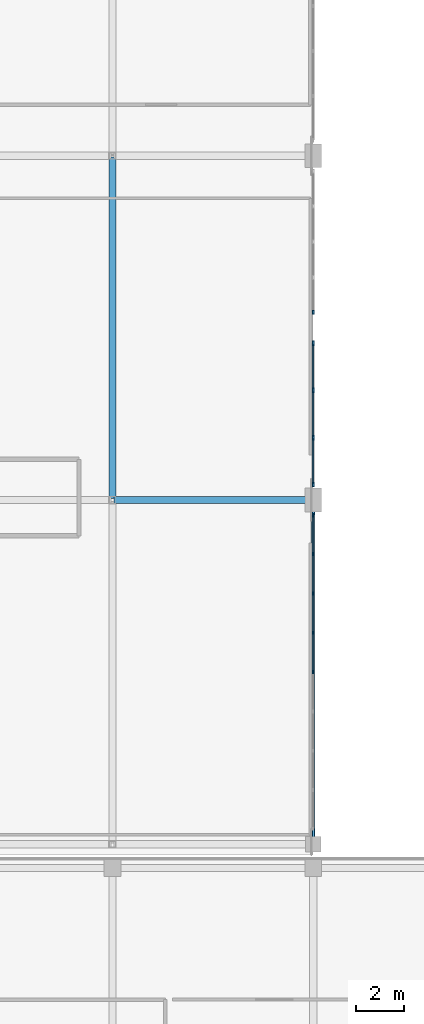
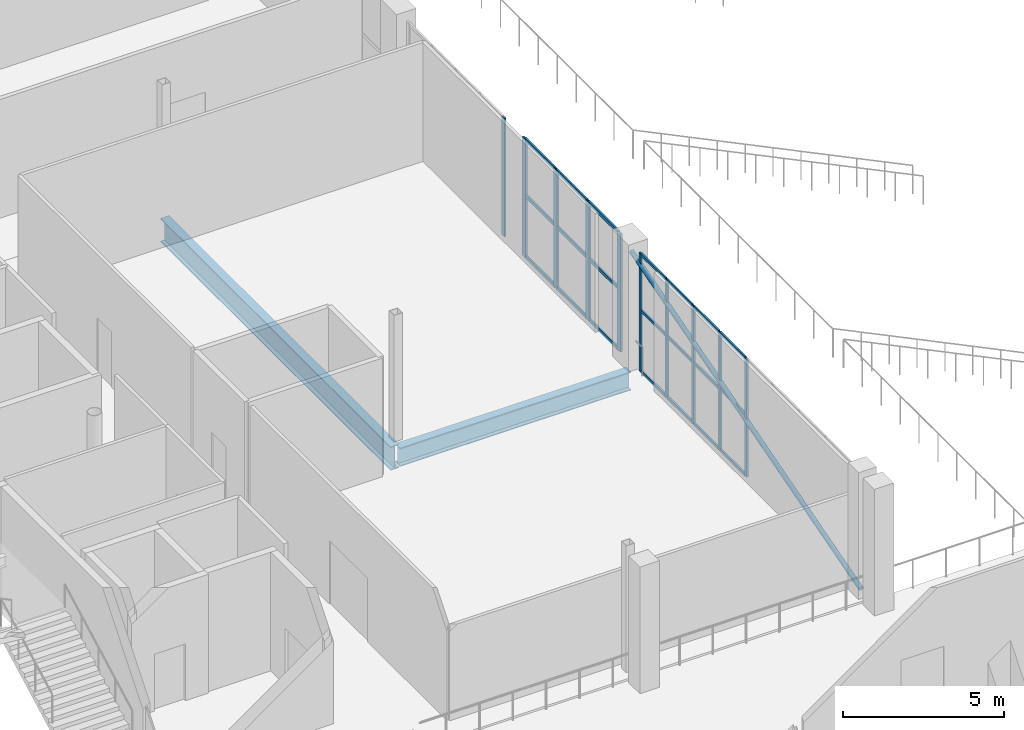
# One storey, part 18 of 104: 32 members, 2 beams, 3 elements without a shape of their own.
"""IFC4 building model written with IfcOpenShell, lengths in metres."""

from ifc_helpers import new_model, si_unit, direction, frame, origin, origin_2d, place, context, subcontext, project, spatial, rectangle, hollow_circle, i_section, extrude, material, material_profile, profile_set, type_object, element, aggregate, save


model = new_model("IFC4")

# Units and contexts
model_context = context("Model", 3, precision=1e-05, world=origin(), true_north=direction((0.0, 1.0)))
body_context = subcontext(model_context, "Body", "Model", "MODEL_VIEW")
ifc_project = project(units=[si_unit("LENGTHUNIT", "METRE"), si_unit("AREAUNIT", "SQUARE_METRE"), si_unit("VOLUMEUNIT", "CUBIC_METRE"), si_unit("PLANEANGLEUNIT", "RADIAN"), si_unit("MASSUNIT", "GRAM", prefix="KILO")], contexts=[model_context])

# Site, building, storey
site_placement = place(None, origin())
site = spatial("IfcSite", under=ifc_project, at=site_placement, CompositionType="ELEMENT")
building_placement = place(site_placement, origin())
building = spatial("IfcBuilding", under=site, at=building_placement, Name="Koshinbarg Plaza Stadium", CompositionType="ELEMENT")
storey_placement = place(building_placement, frame((0.0, 0.0, 19.800048828125)))
storey = spatial("IfcBuildingStorey", under=building, at=storey_placement, Name="L04", CompositionType="ELEMENT", Elevation=19.800048828125)

# Beams
ifc_material_1 = material(Name="Steel S355", Category="steel")
ifc_material_profile_1 = material_profile(ifc_material_1, i_section(OverallWidth=0.300048828125, OverallDepth=0.699951171875, WebThickness=0.01708984375, FlangeThickness=0.031982421875, at=origin_2d()), Name="HEB 700")
ifc_profile_set_1 = profile_set([ifc_material_profile_1], Name="Steel S355")
beam_type_1 = type_object("IfcBeamType", Name="BM-SGIR-03", PredefinedType="USERDEFINED", material=ifc_profile_set_1)
beam_1_placement = place(storey_placement, frame((46.260009765625, 39.89990234375, -0.650146484375), z_axis=(1.0, 0.0, 0.0), x_axis=(0.0, 1.0, 0.0)))
element("IfcBeam", 1, at=beam_1_placement, inside=storey, type_object=beam_type_1, Name="L04 X girder F/7-8", ObjectType="GIRDER", PredefinedType="USERDEFINED", context=body_context, shape_type="SweptSolid", body=[
    extrude(i_section(OverallWidth=0.300048828125, OverallDepth=0.699951171875, WebThickness=0.01708984375, FlangeThickness=0.031982421875, at=origin_2d()), origin(), (0.0, 0.0, 1.0), 8.280029296875),
])
ifc_material_profile_2 = material_profile(ifc_material_1, i_section(OverallWidth=0.300048828125, OverallDepth=0.89990234375, WebThickness=0.0185546875, FlangeThickness=0.034912109375, at=origin_2d()), Name="HEB 900")
ifc_profile_set_2 = profile_set([ifc_material_profile_2], Name="Steel S355")
beam_type_2 = type_object("IfcBeamType", Name="BM-SGIR-05", PredefinedType="USERDEFINED", material=ifc_profile_set_2)
beam_2_placement = place(storey_placement, frame((46.199951171875, 39.9599609375, -0.75), z_axis=(0.0, 1.0, 0.0), x_axis=(-1.0, 0.0, 0.0)))
element("IfcBeam", 2, at=beam_2_placement, inside=storey, type_object=beam_type_2, Name="L04 Y girder 7/F-H", ObjectType="GIRDER", PredefinedType="USERDEFINED", context=body_context, shape_type="SweptSolid", body=[
    extrude(i_section(OverallWidth=0.300048828125, OverallDepth=0.89990234375, WebThickness=0.0185546875, FlangeThickness=0.034912109375, at=origin_2d()), origin(), (0.0, 0.0, 1.0), 14.280029296875),
])

# Curtain wall, members
ifc_material_2 = material(Name="Thermally broken anodised aluminium and low-E double glazing", Category="aluminium")
curtain_wall_type_1 = type_object("IfcCurtainWallType", Name="CW-SYS-09", PredefinedType="NOTDEFINED", material=ifc_material_2)
curtain_wall_1_placement = place(storey_placement, origin())
curtain_wall_1 = element("IfcCurtainWall", 3, at=curtain_wall_1_placement, inside=storey, type_object=curtain_wall_type_1, Name="L04 unitised curtain wall CW-L04-120", PredefinedType="NOTDEFINED")
ifc_material_3 = material(Name="Anodised aluminium mullion", Category="aluminium")
ifc_material_profile_3 = material_profile(ifc_material_3, rectangle(XDim=0.06005859375, YDim=0.139892578125, at=origin_2d()), Name="ALU 60x140")
ifc_profile_set_3 = profile_set([ifc_material_profile_3], Name="Anodised aluminium mullion")
member_type_1 = type_object("IfcMemberType", Name="CW-MUL-01", PredefinedType="MULLION", material=ifc_profile_set_3)
member_1_placement = place(storey_placement, frame((54.60009765625, 39.25, 0.0), z_axis=(0.0, 0.0, 1.0), x_axis=(1.0, 0.0, 0.0)))
member_1 = element("IfcMember", 4, at=member_1_placement, type_object=member_type_1, Name="CW09 mullion 1", PredefinedType="MULLION", context=body_context, shape_type="SweptSolid", body=[
    extrude(rectangle(XDim=0.06005859375, YDim=0.139892578125, at=origin_2d()), origin(), (0.0, 0.0, 1.0), 4.47998046875),
])
member_2_placement = place(storey_placement, frame((54.60009765625, 37.635009765625, 0.0), z_axis=(0.0, 0.0, 1.0), x_axis=(1.0, 0.0, 0.0)))
member_2 = element("IfcMember", 5, at=member_2_placement, type_object=member_type_1, Name="CW09 mullion 2", PredefinedType="MULLION", context=body_context, shape_type="SweptSolid", body=[
    extrude(rectangle(XDim=0.06005859375, YDim=0.139892578125, at=origin_2d()), origin(), (0.0, 0.0, 1.0), 4.47998046875),
])
member_3_placement = place(storey_placement, frame((54.60009765625, 35.989990234375, 0.0), z_axis=(0.0, 0.0, 1.0), x_axis=(1.0, 0.0, 0.0)))
member_3 = element("IfcMember", 6, at=member_3_placement, type_object=member_type_1, Name="CW09 mullion 3", PredefinedType="MULLION", context=body_context, shape_type="SweptSolid", body=[
    extrude(rectangle(XDim=0.06005859375, YDim=0.139892578125, at=origin_2d()), origin(), (0.0, 0.0, 1.0), 4.47998046875),
])
member_4_placement = place(storey_placement, frame((54.60009765625, 34.344970703125, 0.0), z_axis=(0.0, 0.0, 1.0), x_axis=(1.0, 0.0, 0.0)))
member_4 = element("IfcMember", 7, at=member_4_placement, type_object=member_type_1, Name="CW09 mullion 4", PredefinedType="MULLION", context=body_context, shape_type="SweptSolid", body=[
    extrude(rectangle(XDim=0.06005859375, YDim=0.139892578125, at=origin_2d()), origin(), (0.0, 0.0, 1.0), 4.47998046875),
])
member_5_placement = place(storey_placement, frame((54.60009765625, 32.699951171875, 0.0), z_axis=(0.0, 0.0, 1.0), x_axis=(1.0, 0.0, 0.0)))
member_5 = element("IfcMember", 8, at=member_5_placement, type_object=member_type_1, Name="CW09 mullion 5", PredefinedType="MULLION", context=body_context, shape_type="SweptSolid", body=[
    extrude(rectangle(XDim=0.06005859375, YDim=0.139892578125, at=origin_2d()), origin(), (0.0, 0.0, 1.0), 4.47998046875),
])

# Curtain wall, member
curtain_wall_type_2 = type_object("IfcCurtainWallType", Name="CW-SYS-07", PredefinedType="NOTDEFINED", material=ifc_material_2)
curtain_wall_2_placement = place(storey_placement, origin())
curtain_wall_2 = element("IfcCurtainWall", 9, at=curtain_wall_2_placement, inside=storey, type_object=curtain_wall_type_2, Name="L04 unitised curtain wall CW-L04-118", PredefinedType="NOTDEFINED")
ifc_material_profile_4 = material_profile(ifc_material_3, rectangle(XDim=0.070068359375, YDim=0.179931640625, at=origin_2d()), Name="ALU 70x180")
ifc_profile_set_4 = profile_set([ifc_material_profile_4], Name="Anodised aluminium mullion")
member_type_2 = type_object("IfcMemberType", Name="CW-MUL-03", PredefinedType="MULLION", material=ifc_profile_set_4)
member_6_placement = place(storey_placement, frame((54.60009765625, 47.75, 0.0), z_axis=(0.0, 0.0, 1.0), x_axis=(1.0, 0.0, 0.0)))
member_6 = element("IfcMember", 10, at=member_6_placement, type_object=member_type_2, Name="CW07 mullion 5", PredefinedType="MULLION", context=body_context, shape_type="SweptSolid", body=[
    extrude(rectangle(XDim=0.070068359375, YDim=0.179931640625, at=origin_2d()), origin(), (0.0, 0.0, 1.0), 4.47998046875),
])
aggregate(curtain_wall_2, [member_6])

# Curtain wall, members
curtain_wall_type_3 = type_object("IfcCurtainWallType", Name="CW-SYS-08", PredefinedType="NOTDEFINED", material=ifc_material_2)
curtain_wall_3_placement = place(storey_placement, origin())
curtain_wall_3 = element("IfcCurtainWall", 11, at=curtain_wall_3_placement, inside=storey, type_object=curtain_wall_type_3, Name="L04 unitised curtain wall CW-L04-119", PredefinedType="NOTDEFINED")
ifc_material_profile_5 = material_profile(ifc_material_3, rectangle(XDim=0.070068359375, YDim=0.199951171875, at=origin_2d()), Name="ALU 70x200")
ifc_profile_set_5 = profile_set([ifc_material_profile_5], Name="Anodised aluminium mullion")
member_type_3 = type_object("IfcMemberType", Name="CW-MUL-04", PredefinedType="MULLION", material=ifc_profile_set_5)
member_7_placement = place(storey_placement, frame((54.60009765625, 46.449951171875, 0.0), z_axis=(0.0, 0.0, 1.0), x_axis=(1.0, 0.0, 0.0)))
member_7 = element("IfcMember", 12, at=member_7_placement, type_object=member_type_3, Name="CW08 mullion 1", PredefinedType="MULLION", context=body_context, shape_type="SweptSolid", body=[
    extrude(rectangle(XDim=0.070068359375, YDim=0.199951171875, at=origin_2d()), origin(), (0.0, 0.0, 1.0), 4.47998046875),
])
member_8_placement = place(storey_placement, frame((54.60009765625, 44.493408203125, 0.0), z_axis=(0.0, 0.0, 1.0), x_axis=(1.0, 0.0, 0.0)))
member_8 = element("IfcMember", 13, at=member_8_placement, type_object=member_type_3, Name="CW08 mullion 2", PredefinedType="MULLION", context=body_context, shape_type="SweptSolid", body=[
    extrude(rectangle(XDim=0.070068359375, YDim=0.199951171875, at=origin_2d()), origin(), (0.0, 0.0, 1.0), 4.47998046875),
])
member_9_placement = place(storey_placement, frame((54.60009765625, 42.506591796875, 0.0), z_axis=(0.0, 0.0, 1.0), x_axis=(1.0, 0.0, 0.0)))
member_9 = element("IfcMember", 14, at=member_9_placement, type_object=member_type_3, Name="CW08 mullion 3", PredefinedType="MULLION", context=body_context, shape_type="SweptSolid", body=[
    extrude(rectangle(XDim=0.070068359375, YDim=0.199951171875, at=origin_2d()), origin(), (0.0, 0.0, 1.0), 4.47998046875),
])
member_10_placement = place(storey_placement, frame((54.60009765625, 40.550048828125, 0.0), z_axis=(0.0, 0.0, 1.0), x_axis=(1.0, 0.0, 0.0)))
member_10 = element("IfcMember", 15, at=member_10_placement, type_object=member_type_3, Name="CW08 mullion 4", PredefinedType="MULLION", context=body_context, shape_type="SweptSolid", body=[
    extrude(rectangle(XDim=0.070068359375, YDim=0.199951171875, at=origin_2d()), origin(), (0.0, 0.0, 1.0), 4.47998046875),
])

# Member
ifc_material_4 = material(Name="Anodised aluminium transom", Category="aluminium")
ifc_material_profile_6 = material_profile(ifc_material_4, rectangle(XDim=0.06005859375, YDim=0.110107421875, at=origin_2d()), Name="ALU 60x110")
ifc_profile_set_6 = profile_set([ifc_material_profile_6], Name="Anodised aluminium transom")
member_type_4 = type_object("IfcMemberType", Name="CW-TRN-01", PredefinedType="USERDEFINED", material=ifc_profile_set_6)
member_11_placement = place(storey_placement, frame((54.60009765625, 39.219970703125, 0.030029296875), z_axis=(0.0, -1.0, 0.0), x_axis=(1.0, 0.0, 0.0)))
member_11 = element("IfcMember", 16, at=member_11_placement, type_object=member_type_4, Name="CW09 transom 1.1", ObjectType="TRANSOM", PredefinedType="USERDEFINED", context=body_context, shape_type="SweptSolid", body=[
    extrude(rectangle(XDim=0.06005859375, YDim=0.110107421875, at=origin_2d()), origin(), (0.0, 0.0, 1.0), 1.554931640625),
])

member_12_placement = place(storey_placement, frame((54.60009765625, 39.219970703125, 2.32958984375), z_axis=(0.0, -1.0, 0.0), x_axis=(1.0, 0.0, 0.0)))
member_12 = element("IfcMember", 17, at=member_12_placement, type_object=member_type_4, Name="CW09 transom 1.2", ObjectType="TRANSOM", PredefinedType="USERDEFINED", context=body_context, shape_type="SweptSolid", body=[
    extrude(rectangle(XDim=0.06005859375, YDim=0.110107421875, at=origin_2d()), origin(), (0.0, 0.0, 1.0), 1.554931640625),
])

member_13_placement = place(storey_placement, frame((54.60009765625, 39.219970703125, 4.449951171875), z_axis=(0.0, -1.0, 0.0), x_axis=(1.0, 0.0, 0.0)))
member_13 = element("IfcMember", 18, at=member_13_placement, type_object=member_type_4, Name="CW09 transom 1.3", ObjectType="TRANSOM", PredefinedType="USERDEFINED", context=body_context, shape_type="SweptSolid", body=[
    extrude(rectangle(XDim=0.06005859375, YDim=0.110107421875, at=origin_2d()), origin(), (0.0, 0.0, 1.0), 1.554931640625),
])

member_14_placement = place(storey_placement, frame((54.60009765625, 37.60498046875, 0.030029296875), z_axis=(0.0, -1.0, 0.0), x_axis=(1.0, 0.0, 0.0)))
member_14 = element("IfcMember", 19, at=member_14_placement, type_object=member_type_4, Name="CW09 transom 2.1", ObjectType="TRANSOM", PredefinedType="USERDEFINED", context=body_context, shape_type="SweptSolid", body=[
    extrude(rectangle(XDim=0.06005859375, YDim=0.110107421875, at=origin_2d()), origin(), (0.0, 0.0, 1.0), 1.5849609375),
])

member_15_placement = place(storey_placement, frame((54.60009765625, 37.60498046875, 2.32958984375), z_axis=(0.0, -1.0, 0.0), x_axis=(1.0, 0.0, 0.0)))
member_15 = element("IfcMember", 20, at=member_15_placement, type_object=member_type_4, Name="CW09 transom 2.2", ObjectType="TRANSOM", PredefinedType="USERDEFINED", context=body_context, shape_type="SweptSolid", body=[
    extrude(rectangle(XDim=0.06005859375, YDim=0.110107421875, at=origin_2d()), origin(), (0.0, 0.0, 1.0), 1.5849609375),
])

member_16_placement = place(storey_placement, frame((54.60009765625, 37.60498046875, 4.449951171875), z_axis=(0.0, -1.0, 0.0), x_axis=(1.0, 0.0, 0.0)))
member_16 = element("IfcMember", 21, at=member_16_placement, type_object=member_type_4, Name="CW09 transom 2.3", ObjectType="TRANSOM", PredefinedType="USERDEFINED", context=body_context, shape_type="SweptSolid", body=[
    extrude(rectangle(XDim=0.06005859375, YDim=0.110107421875, at=origin_2d()), origin(), (0.0, 0.0, 1.0), 1.5849609375),
])

member_17_placement = place(storey_placement, frame((54.60009765625, 35.9599609375, 0.030029296875), z_axis=(0.0, -1.0, 0.0), x_axis=(1.0, 0.0, 0.0)))
member_17 = element("IfcMember", 22, at=member_17_placement, type_object=member_type_4, Name="CW09 transom 3.1", ObjectType="TRANSOM", PredefinedType="USERDEFINED", context=body_context, shape_type="SweptSolid", body=[
    extrude(rectangle(XDim=0.06005859375, YDim=0.110107421875, at=origin_2d()), origin(), (0.0, 0.0, 1.0), 1.5849609375),
])

member_18_placement = place(storey_placement, frame((54.60009765625, 35.9599609375, 2.32958984375), z_axis=(0.0, -1.0, 0.0), x_axis=(1.0, 0.0, 0.0)))
member_18 = element("IfcMember", 23, at=member_18_placement, type_object=member_type_4, Name="CW09 transom 3.2", ObjectType="TRANSOM", PredefinedType="USERDEFINED", context=body_context, shape_type="SweptSolid", body=[
    extrude(rectangle(XDim=0.06005859375, YDim=0.110107421875, at=origin_2d()), origin(), (0.0, 0.0, 1.0), 1.5849609375),
])

member_19_placement = place(storey_placement, frame((54.60009765625, 35.9599609375, 4.449951171875), z_axis=(0.0, -1.0, 0.0), x_axis=(1.0, 0.0, 0.0)))
member_19 = element("IfcMember", 24, at=member_19_placement, type_object=member_type_4, Name="CW09 transom 3.3", ObjectType="TRANSOM", PredefinedType="USERDEFINED", context=body_context, shape_type="SweptSolid", body=[
    extrude(rectangle(XDim=0.06005859375, YDim=0.110107421875, at=origin_2d()), origin(), (0.0, 0.0, 1.0), 1.5849609375),
])

member_20_placement = place(storey_placement, frame((54.60009765625, 34.31494140625, 0.030029296875), z_axis=(0.0, -1.0, 0.0), x_axis=(1.0, 0.0, 0.0)))
member_20 = element("IfcMember", 25, at=member_20_placement, type_object=member_type_4, Name="CW09 transom 4.1", ObjectType="TRANSOM", PredefinedType="USERDEFINED", context=body_context, shape_type="SweptSolid", body=[
    extrude(rectangle(XDim=0.06005859375, YDim=0.110107421875, at=origin_2d()), origin(), (0.0, 0.0, 1.0), 1.5849609375),
])

member_21_placement = place(storey_placement, frame((54.60009765625, 34.31494140625, 2.32958984375), z_axis=(0.0, -1.0, 0.0), x_axis=(1.0, 0.0, 0.0)))
member_21 = element("IfcMember", 26, at=member_21_placement, type_object=member_type_4, Name="CW09 transom 4.2", ObjectType="TRANSOM", PredefinedType="USERDEFINED", context=body_context, shape_type="SweptSolid", body=[
    extrude(rectangle(XDim=0.06005859375, YDim=0.110107421875, at=origin_2d()), origin(), (0.0, 0.0, 1.0), 1.5849609375),
])

member_22_placement = place(storey_placement, frame((54.60009765625, 34.31494140625, 4.449951171875), z_axis=(0.0, -1.0, 0.0), x_axis=(1.0, 0.0, 0.0)))
member_22 = element("IfcMember", 27, at=member_22_placement, type_object=member_type_4, Name="CW09 transom 4.3", ObjectType="TRANSOM", PredefinedType="USERDEFINED", context=body_context, shape_type="SweptSolid", body=[
    extrude(rectangle(XDim=0.06005859375, YDim=0.110107421875, at=origin_2d()), origin(), (0.0, 0.0, 1.0), 1.5849609375),
])

aggregate(curtain_wall_1, [member_1, member_2, member_3, member_4, member_5, member_11, member_12, member_13, member_14, member_15, member_16, member_17, member_18, member_19, member_20, member_21, member_22])

ifc_material_profile_7 = material_profile(ifc_material_4, rectangle(XDim=0.06005859375, YDim=0.1298828125, at=origin_2d()), Name="ALU 60x130")
ifc_profile_set_7 = profile_set([ifc_material_profile_7], Name="Anodised aluminium transom")
member_type_5 = type_object("IfcMemberType", Name="CW-TRN-02", PredefinedType="USERDEFINED", material=ifc_profile_set_7)
member_23_placement = place(storey_placement, frame((54.60009765625, 46.419921875, 0.030029296875), z_axis=(0.0, -1.0, 0.0), x_axis=(1.0, 0.0, 0.0)))
member_23 = element("IfcMember", 28, at=member_23_placement, type_object=member_type_5, Name="CW08 transom 1.1", ObjectType="TRANSOM", PredefinedType="USERDEFINED", context=body_context, shape_type="SweptSolid", body=[
    extrude(rectangle(XDim=0.06005859375, YDim=0.1298828125, at=origin_2d()), origin(), (0.0, 0.0, 1.0), 1.896484375),
])

member_24_placement = place(storey_placement, frame((54.60009765625, 46.419921875, 2.32958984375), z_axis=(0.0, -1.0, 0.0), x_axis=(1.0, 0.0, 0.0)))
member_24 = element("IfcMember", 29, at=member_24_placement, type_object=member_type_5, Name="CW08 transom 1.2", ObjectType="TRANSOM", PredefinedType="USERDEFINED", context=body_context, shape_type="SweptSolid", body=[
    extrude(rectangle(XDim=0.06005859375, YDim=0.1298828125, at=origin_2d()), origin(), (0.0, 0.0, 1.0), 1.896484375),
])

member_25_placement = place(storey_placement, frame((54.60009765625, 46.419921875, 4.449951171875), z_axis=(0.0, -1.0, 0.0), x_axis=(1.0, 0.0, 0.0)))
member_25 = element("IfcMember", 30, at=member_25_placement, type_object=member_type_5, Name="CW08 transom 1.3", ObjectType="TRANSOM", PredefinedType="USERDEFINED", context=body_context, shape_type="SweptSolid", body=[
    extrude(rectangle(XDim=0.06005859375, YDim=0.1298828125, at=origin_2d()), origin(), (0.0, 0.0, 1.0), 1.896484375),
])

member_26_placement = place(storey_placement, frame((54.60009765625, 44.46337890625, 0.030029296875), z_axis=(0.0, -1.0, 0.0), x_axis=(1.0, 0.0, 0.0)))
member_26 = element("IfcMember", 31, at=member_26_placement, type_object=member_type_5, Name="CW08 transom 2.1", ObjectType="TRANSOM", PredefinedType="USERDEFINED", context=body_context, shape_type="SweptSolid", body=[
    extrude(rectangle(XDim=0.06005859375, YDim=0.1298828125, at=origin_2d()), origin(), (0.0, 0.0, 1.0), 1.9267578125),
])

member_27_placement = place(storey_placement, frame((54.60009765625, 44.46337890625, 2.32958984375), z_axis=(0.0, -1.0, 0.0), x_axis=(1.0, 0.0, 0.0)))
member_27 = element("IfcMember", 32, at=member_27_placement, type_object=member_type_5, Name="CW08 transom 2.2", ObjectType="TRANSOM", PredefinedType="USERDEFINED", context=body_context, shape_type="SweptSolid", body=[
    extrude(rectangle(XDim=0.06005859375, YDim=0.1298828125, at=origin_2d()), origin(), (0.0, 0.0, 1.0), 1.9267578125),
])

member_28_placement = place(storey_placement, frame((54.60009765625, 44.46337890625, 4.449951171875), z_axis=(0.0, -1.0, 0.0), x_axis=(1.0, 0.0, 0.0)))
member_28 = element("IfcMember", 33, at=member_28_placement, type_object=member_type_5, Name="CW08 transom 2.3", ObjectType="TRANSOM", PredefinedType="USERDEFINED", context=body_context, shape_type="SweptSolid", body=[
    extrude(rectangle(XDim=0.06005859375, YDim=0.1298828125, at=origin_2d()), origin(), (0.0, 0.0, 1.0), 1.9267578125),
])

member_29_placement = place(storey_placement, frame((54.60009765625, 42.4765625, 0.030029296875), z_axis=(0.0, -1.0, 0.0), x_axis=(1.0, 0.0, 0.0)))
member_29 = element("IfcMember", 34, at=member_29_placement, type_object=member_type_5, Name="CW08 transom 3.1", ObjectType="TRANSOM", PredefinedType="USERDEFINED", context=body_context, shape_type="SweptSolid", body=[
    extrude(rectangle(XDim=0.06005859375, YDim=0.1298828125, at=origin_2d()), origin(), (0.0, 0.0, 1.0), 1.896484375),
])

member_30_placement = place(storey_placement, frame((54.60009765625, 42.4765625, 2.32958984375), z_axis=(0.0, -1.0, 0.0), x_axis=(1.0, 0.0, 0.0)))
member_30 = element("IfcMember", 35, at=member_30_placement, type_object=member_type_5, Name="CW08 transom 3.2", ObjectType="TRANSOM", PredefinedType="USERDEFINED", context=body_context, shape_type="SweptSolid", body=[
    extrude(rectangle(XDim=0.06005859375, YDim=0.1298828125, at=origin_2d()), origin(), (0.0, 0.0, 1.0), 1.896484375),
])

member_31_placement = place(storey_placement, frame((54.60009765625, 42.4765625, 4.449951171875), z_axis=(0.0, -1.0, 0.0), x_axis=(1.0, 0.0, 0.0)))
member_31 = element("IfcMember", 36, at=member_31_placement, type_object=member_type_5, Name="CW08 transom 3.3", ObjectType="TRANSOM", PredefinedType="USERDEFINED", context=body_context, shape_type="SweptSolid", body=[
    extrude(rectangle(XDim=0.06005859375, YDim=0.1298828125, at=origin_2d()), origin(), (0.0, 0.0, 1.0), 1.896484375),
])

aggregate(curtain_wall_3, [member_7, member_8, member_9, member_10, member_23, member_24, member_25, member_26, member_27, member_28, member_29, member_30, member_31])

ifc_material_profile_8 = material_profile(ifc_material_1, hollow_circle(Radius=0.084228515625, WallThickness=0.008056640625, at=origin_2d()), Name="CHS 168.3x8")
ifc_profile_set_8 = profile_set([ifc_material_profile_8], Name="Steel S355")
member_type_6 = type_object("IfcMemberType", Name="MB-BRACE-04", PredefinedType="BRACE", material=ifc_profile_set_8)
member_32_placement = place(storey_placement, frame((54.60009765625, 25.580078125, 0.050048828125), z_axis=(0.0, 0.960062102973, 0.27978698761), x_axis=(-1.0, 0.0, 0.0)))
element("IfcMember", 37, at=member_32_placement, inside=storey, type_object=member_type_6, Name="L04 lateral frame brace 17", PredefinedType="BRACE", context=body_context, shape_type="SweptSolid", body=[
    extrude(hollow_circle(Radius=0.084228515625, WallThickness=0.008056640625, at=origin_2d()), origin(), (0.0, 0.0, 1.0), 14.832275390625),
])

save(model, "model.ifc")
